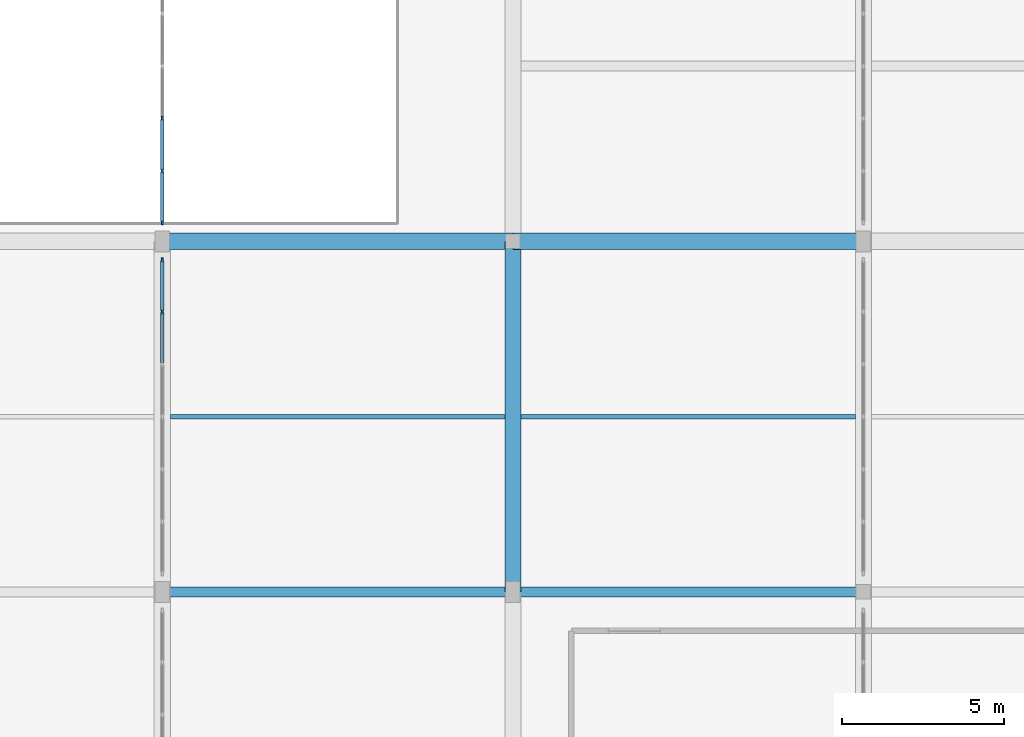
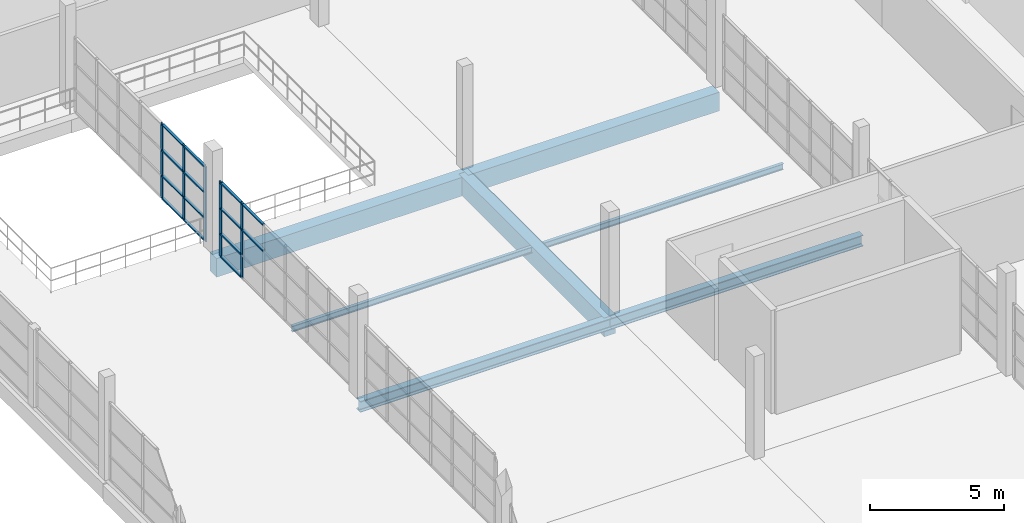
# One storey, part 31 of 142: 19 members, 7 beams, 2 elements without a shape of their own.
"""IFC4 building model written with IfcOpenShell, lengths in metres."""

from ifc_helpers import new_model, si_unit, direction, frame, origin, origin_2d, place, context, subcontext, project, spatial, rectangle, i_section, extrude, material, material_profile, profile_set, type_object, element, aggregate, save


model = new_model("IFC4")

# Units and contexts
model_context = context("Model", 3, precision=1e-05, world=origin(), true_north=direction((0.0, 1.0)))
body_context = subcontext(model_context, "Body", "Model", "MODEL_VIEW")
ifc_project = project(units=[si_unit("LENGTHUNIT", "METRE"), si_unit("AREAUNIT", "SQUARE_METRE"), si_unit("VOLUMEUNIT", "CUBIC_METRE"), si_unit("PLANEANGLEUNIT", "RADIAN"), si_unit("MASSUNIT", "GRAM", prefix="KILO")], contexts=[model_context])

# Site, building, storey
site_placement = place(None, origin())
site = spatial("IfcSite", under=ifc_project, at=site_placement, CompositionType="ELEMENT")
building_placement = place(site_placement, origin())
building = spatial("IfcBuilding", under=site, at=building_placement, Name="Zwinboog Wholesale Market", CompositionType="ELEMENT")
storey_placement = place(building_placement, frame((0.0, 0.0, 5.39990234375)))
storey = spatial("IfcBuildingStorey", under=building, at=storey_placement, Name="L01", CompositionType="ELEMENT", Elevation=5.39990234375)

# Beams
ifc_material_1 = material(Name="Precast concrete C45/55", Category="concrete")
ifc_material_profile_1 = material_profile(ifc_material_1, rectangle(XDim=0.5, YDim=0.85009765625, at=origin_2d()), Name="PC 500x850")
ifc_profile_set_1 = profile_set([ifc_material_profile_1], Name="Precast concrete C45/55")
beam_type_1 = type_object("IfcBeamType", Name="BT-03", PredefinedType="BEAM", material=ifc_profile_set_1)
beam_1_placement = place(storey_placement, frame((10.800048828125, 75.60009765625, -0.72998046875), z_axis=(1.0, 0.0, 0.0), x_axis=(0.0, 1.0, 0.0)))
element("IfcBeam", 1, at=beam_1_placement, inside=storey, type_object=beam_type_1, Name="BG-03 (BMG-L01-0108-0756-0500)", PredefinedType="BEAM", context=body_context, shape_type="SweptSolid", body=[
    extrude(rectangle(XDim=0.5, YDim=0.85009765625, at=origin_2d()), origin(), (0.0, 0.0, 1.0), 10.800048828125),
])
beam_2_placement = place(storey_placement, frame((21.60009765625, 75.60009765625, -0.72998046875), z_axis=(1.0, 0.0, 0.0), x_axis=(0.0, 1.0, 0.0)))
element("IfcBeam", 2, at=beam_2_placement, inside=storey, type_object=beam_type_1, Name="BG-03 (BMG-L01-0216-0756-0501)", PredefinedType="BEAM", context=body_context, shape_type="SweptSolid", body=[
    extrude(rectangle(XDim=0.5, YDim=0.85009765625, at=origin_2d()), origin(), (0.0, 0.0, 1.0), 10.7998046875),
])
beam_3_placement = place(storey_placement, frame((21.60009765625, 64.800048828125, -0.72998046875), z_axis=(0.0, 1.0, 0.0), x_axis=(-1.0, 0.0, 0.0)))
element("IfcBeam", 3, at=beam_3_placement, inside=storey, type_object=beam_type_1, Name="BG-03 (BMG-L01-0216-0648-0629)", PredefinedType="BEAM", context=body_context, shape_type="SweptSolid", body=[
    extrude(rectangle(XDim=0.5, YDim=0.85009765625, at=origin_2d()), origin(), (0.0, 0.0, 1.0), 10.800048828125),
])
ifc_material_2 = material(Name="Steel S355", Category="steel")
ifc_material_profile_2 = material_profile(ifc_material_2, i_section(OverallWidth=0.300048828125, OverallDepth=0.5, WebThickness=0.014404296875, FlangeThickness=0.028076171875, FilletRadius=0.027099609375, at=origin_2d()), Name="HEB 500")
ifc_profile_set_2 = profile_set([ifc_material_profile_2], Name="Steel S355")
beam_type_2 = type_object("IfcBeamType", Name="BT-14", PredefinedType="BEAM", material=ifc_profile_set_2)
beam_4_placement = place(storey_placement, frame((10.800048828125, 64.800048828125, -0.554931640625), z_axis=(1.0, 0.0, 0.0), x_axis=(0.0, 1.0, 0.0)))
element("IfcBeam", 4, at=beam_4_placement, inside=storey, type_object=beam_type_2, Name="SB-01 (BMG-L01-0108-0648-0490)", PredefinedType="BEAM", context=body_context, shape_type="SweptSolid", body=[
    extrude(i_section(OverallWidth=0.300048828125, OverallDepth=0.5, WebThickness=0.014404296875, FlangeThickness=0.028076171875, FilletRadius=0.027099609375, at=origin_2d()), origin(), (0.0, 0.0, 1.0), 10.800048828125),
])
beam_5_placement = place(storey_placement, frame((21.60009765625, 64.800048828125, -0.554931640625), z_axis=(1.0, 0.0, 0.0), x_axis=(0.0, 1.0, 0.0)))
element("IfcBeam", 5, at=beam_5_placement, inside=storey, type_object=beam_type_2, Name="SB-01 (BMG-L01-0216-0648-0491)", PredefinedType="BEAM", context=body_context, shape_type="SweptSolid", body=[
    extrude(i_section(OverallWidth=0.300048828125, OverallDepth=0.5, WebThickness=0.014404296875, FlangeThickness=0.028076171875, FilletRadius=0.027099609375, at=origin_2d()), origin(), (0.0, 0.0, 1.0), 10.7998046875),
])
ifc_material_profile_3 = material_profile(ifc_material_2, i_section(OverallWidth=0.135009765625, OverallDepth=0.27001953125, WebThickness=0.006591796875, FlangeThickness=0.01025390625, FilletRadius=0.014892578125, at=origin_2d()), Name="IPE 270")
ifc_profile_set_3 = profile_set([ifc_material_profile_3], Name="Steel S355")
beam_type_3 = type_object("IfcBeamType", Name="BT-21", PredefinedType="JOIST", material=ifc_profile_set_3)
beam_6_placement = place(storey_placement, frame((11.050048828125, 70.199951171875, -0.43994140625), z_axis=(1.0, 0.0, 0.0), x_axis=(0.0, 1.0, 0.0)))
element("IfcBeam", 6, at=beam_6_placement, inside=storey, type_object=beam_type_3, Name="SJ-04 (BMG-L01-0110-0702-0798)", PredefinedType="JOIST", context=body_context, shape_type="SweptSolid", body=[
    extrude(i_section(OverallWidth=0.135009765625, OverallDepth=0.27001953125, WebThickness=0.006591796875, FlangeThickness=0.01025390625, FilletRadius=0.014892578125, at=origin_2d()), origin(), (0.0, 0.0, 1.0), 10.300048828125),
])
beam_7_placement = place(storey_placement, frame((21.85009765625, 70.199951171875, -0.43994140625), z_axis=(1.0, 0.0, 0.0), x_axis=(0.0, 1.0, 0.0)))
element("IfcBeam", 7, at=beam_7_placement, inside=storey, type_object=beam_type_3, Name="SJ-04 (BMG-L01-0218-0702-0800)", PredefinedType="JOIST", context=body_context, shape_type="SweptSolid", body=[
    extrude(i_section(OverallWidth=0.135009765625, OverallDepth=0.27001953125, WebThickness=0.006591796875, FlangeThickness=0.01025390625, FilletRadius=0.014892578125, at=origin_2d()), origin(), (0.0, 0.0, 1.0), 10.2998046875),
])

# Curtain wall, members
ifc_material_3 = material(Name="Aluminium thermally broken curtain wall", Category="aluminium")
curtain_wall_type = type_object("IfcCurtainWallType", Name="CWT-INT-STALL", PredefinedType="USERDEFINED", material=ifc_material_3)
curtain_wall_1_placement = place(storey_placement, origin())
curtain_wall_1 = element("IfcCurtainWall", 8, at=curtain_wall_1_placement, inside=storey, type_object=curtain_wall_type, Name="CW-07 (CW-STL-261)", ObjectType="STOREFRONT_GLAZING", PredefinedType="USERDEFINED")
ifc_material_4 = material(Name="Aluminium EN AW-6060", Category="aluminium")
ifc_material_profile_4 = material_profile(ifc_material_4, rectangle(XDim=0.06005859375, YDim=0.14990234375, at=origin_2d()), Name="AL 60x150")
ifc_profile_set_4 = profile_set([ifc_material_profile_4], Name="Aluminium EN AW-6060")
member_type_1 = type_object("IfcMemberType", Name="CWM-INT-60x120", PredefinedType="MULLION", material=ifc_profile_set_4)
member_1_placement = place(storey_placement, frame((10.800048828125, 73.433349609375, 0.0), z_axis=(0.0, 0.0, 1.0), x_axis=(-1.0, 0.0, 0.0)))
member_1 = element("IfcMember", 9, at=member_1_placement, type_object=member_type_1, Name="CW-07 mullion 6", PredefinedType="MULLION", context=body_context, shape_type="SweptSolid", body=[
    extrude(rectangle(XDim=0.06005859375, YDim=0.14990234375, at=origin_2d()), origin(), (0.0, 0.0, 1.0), 3.400146484375),
])
member_2_placement = place(storey_placement, frame((10.800048828125, 75.02001953125, 0.0), z_axis=(0.0, 0.0, 1.0), x_axis=(-1.0, 0.0, 0.0)))
member_2 = element("IfcMember", 10, at=member_2_placement, type_object=member_type_1, Name="CW-07 mullion 7", PredefinedType="MULLION", context=body_context, shape_type="SweptSolid", body=[
    extrude(rectangle(XDim=0.06005859375, YDim=0.14990234375, at=origin_2d()), origin(), (0.0, 0.0, 1.0), 3.400146484375),
])

curtain_wall_2_placement = place(storey_placement, origin())
curtain_wall_2 = element("IfcCurtainWall", 11, at=curtain_wall_2_placement, inside=storey, type_object=curtain_wall_type, Name="CW-07 (CW-STL-262)", ObjectType="STOREFRONT_GLAZING", PredefinedType="USERDEFINED")
member_3_placement = place(storey_placement, frame((10.800048828125, 76.179931640625, 0.0), z_axis=(0.0, 0.0, 1.0), x_axis=(-1.0, 0.0, 0.0)))
member_3 = element("IfcMember", 12, at=member_3_placement, type_object=member_type_1, Name="CW-07 mullion 1", PredefinedType="MULLION", context=body_context, shape_type="SweptSolid", body=[
    extrude(rectangle(XDim=0.06005859375, YDim=0.14990234375, at=origin_2d()), origin(), (0.0, 0.0, 1.0), 3.400146484375),
])
member_4_placement = place(storey_placement, frame((10.800048828125, 77.7666015625, 0.0), z_axis=(0.0, 0.0, 1.0), x_axis=(-1.0, 0.0, 0.0)))
member_4 = element("IfcMember", 13, at=member_4_placement, type_object=member_type_1, Name="CW-07 mullion 2", PredefinedType="MULLION", context=body_context, shape_type="SweptSolid", body=[
    extrude(rectangle(XDim=0.06005859375, YDim=0.14990234375, at=origin_2d()), origin(), (0.0, 0.0, 1.0), 3.400146484375),
])
member_5_placement = place(storey_placement, frame((10.800048828125, 79.38330078125, 0.0), z_axis=(0.0, 0.0, 1.0), x_axis=(-1.0, 0.0, 0.0)))
member_5 = element("IfcMember", 14, at=member_5_placement, type_object=member_type_1, Name="CW-07 mullion 3", PredefinedType="MULLION", context=body_context, shape_type="SweptSolid", body=[
    extrude(rectangle(XDim=0.06005859375, YDim=0.14990234375, at=origin_2d()), origin(), (0.0, 0.0, 1.0), 3.400146484375),
])

# Member
ifc_material_profile_5 = material_profile(ifc_material_4, rectangle(XDim=0.110107421875, YDim=0.06005859375, at=origin_2d()), Name="AL 60x110")
ifc_profile_set_5 = profile_set([ifc_material_profile_5], Name="Aluminium EN AW-6060")
member_type_2 = type_object("IfcMemberType", Name="CWT-INT-60x100", PredefinedType="USERDEFINED", material=ifc_profile_set_5)
member_6_placement = place(storey_placement, frame((10.800048828125, 71.8466796875, 2.2001953125), z_axis=(0.0, 1.0, 0.0), x_axis=(-1.0, 0.0, 0.0)))
member_6 = element("IfcMember", 15, at=member_6_placement, type_object=member_type_2, Name="CW-07 transom 5.3", ObjectType="TRANSOM", PredefinedType="USERDEFINED", context=body_context, shape_type="SweptSolid", body=[
    extrude(rectangle(XDim=0.110107421875, YDim=0.06005859375, at=origin_2d()), origin(), (0.0, 0.0, 1.0), 1.556640625),
])

member_7_placement = place(storey_placement, frame((10.800048828125, 71.8466796875, 3.3701171875), z_axis=(0.0, 1.0, 0.0), x_axis=(-1.0, 0.0, 0.0)))
member_7 = element("IfcMember", 16, at=member_7_placement, type_object=member_type_2, Name="CW-07 transom 5.4", ObjectType="TRANSOM", PredefinedType="USERDEFINED", context=body_context, shape_type="SweptSolid", body=[
    extrude(rectangle(XDim=0.110107421875, YDim=0.06005859375, at=origin_2d()), origin(), (0.0, 0.0, 1.0), 1.556640625),
])

member_8_placement = place(storey_placement, frame((10.800048828125, 73.46337890625, 0.030029296875), z_axis=(0.0, 1.0, 0.0), x_axis=(-1.0, 0.0, 0.0)))
member_8 = element("IfcMember", 17, at=member_8_placement, type_object=member_type_2, Name="CW-07 transom 6.1", ObjectType="TRANSOM", PredefinedType="USERDEFINED", context=body_context, shape_type="SweptSolid", body=[
    extrude(rectangle(XDim=0.110107421875, YDim=0.06005859375, at=origin_2d()), origin(), (0.0, 0.0, 1.0), 1.526611328125),
])

member_9_placement = place(storey_placement, frame((10.800048828125, 73.46337890625, 1.050048828125), z_axis=(0.0, 1.0, 0.0), x_axis=(-1.0, 0.0, 0.0)))
member_9 = element("IfcMember", 18, at=member_9_placement, type_object=member_type_2, Name="CW-07 transom 6.2", ObjectType="TRANSOM", PredefinedType="USERDEFINED", context=body_context, shape_type="SweptSolid", body=[
    extrude(rectangle(XDim=0.110107421875, YDim=0.06005859375, at=origin_2d()), origin(), (0.0, 0.0, 1.0), 1.526611328125),
])

member_10_placement = place(storey_placement, frame((10.800048828125, 73.46337890625, 2.2001953125), z_axis=(0.0, 1.0, 0.0), x_axis=(-1.0, 0.0, 0.0)))
member_10 = element("IfcMember", 19, at=member_10_placement, type_object=member_type_2, Name="CW-07 transom 6.3", ObjectType="TRANSOM", PredefinedType="USERDEFINED", context=body_context, shape_type="SweptSolid", body=[
    extrude(rectangle(XDim=0.110107421875, YDim=0.06005859375, at=origin_2d()), origin(), (0.0, 0.0, 1.0), 1.526611328125),
])

member_11_placement = place(storey_placement, frame((10.800048828125, 73.46337890625, 3.3701171875), z_axis=(0.0, 1.0, 0.0), x_axis=(-1.0, 0.0, 0.0)))
member_11 = element("IfcMember", 20, at=member_11_placement, type_object=member_type_2, Name="CW-07 transom 6.4", ObjectType="TRANSOM", PredefinedType="USERDEFINED", context=body_context, shape_type="SweptSolid", body=[
    extrude(rectangle(XDim=0.110107421875, YDim=0.06005859375, at=origin_2d()), origin(), (0.0, 0.0, 1.0), 1.526611328125),
])

aggregate(curtain_wall_1, [member_1, member_2, member_6, member_7, member_8, member_9, member_10, member_11])

member_12_placement = place(storey_placement, frame((10.800048828125, 76.2099609375, 0.030029296875), z_axis=(0.0, 1.0, 0.0), x_axis=(-1.0, 0.0, 0.0)))
member_12 = element("IfcMember", 21, at=member_12_placement, type_object=member_type_2, Name="CW-07 transom 1.1", ObjectType="TRANSOM", PredefinedType="USERDEFINED", context=body_context, shape_type="SweptSolid", body=[
    extrude(rectangle(XDim=0.110107421875, YDim=0.06005859375, at=origin_2d()), origin(), (0.0, 0.0, 1.0), 1.526611328125),
])

member_13_placement = place(storey_placement, frame((10.800048828125, 76.2099609375, 1.050048828125), z_axis=(0.0, 1.0, 0.0), x_axis=(-1.0, 0.0, 0.0)))
member_13 = element("IfcMember", 22, at=member_13_placement, type_object=member_type_2, Name="CW-07 transom 1.2", ObjectType="TRANSOM", PredefinedType="USERDEFINED", context=body_context, shape_type="SweptSolid", body=[
    extrude(rectangle(XDim=0.110107421875, YDim=0.06005859375, at=origin_2d()), origin(), (0.0, 0.0, 1.0), 1.526611328125),
])

member_14_placement = place(storey_placement, frame((10.800048828125, 76.2099609375, 2.2001953125), z_axis=(0.0, 1.0, 0.0), x_axis=(-1.0, 0.0, 0.0)))
member_14 = element("IfcMember", 23, at=member_14_placement, type_object=member_type_2, Name="CW-07 transom 1.3", ObjectType="TRANSOM", PredefinedType="USERDEFINED", context=body_context, shape_type="SweptSolid", body=[
    extrude(rectangle(XDim=0.110107421875, YDim=0.06005859375, at=origin_2d()), origin(), (0.0, 0.0, 1.0), 1.526611328125),
])

member_15_placement = place(storey_placement, frame((10.800048828125, 76.2099609375, 3.3701171875), z_axis=(0.0, 1.0, 0.0), x_axis=(-1.0, 0.0, 0.0)))
member_15 = element("IfcMember", 24, at=member_15_placement, type_object=member_type_2, Name="CW-07 transom 1.4", ObjectType="TRANSOM", PredefinedType="USERDEFINED", context=body_context, shape_type="SweptSolid", body=[
    extrude(rectangle(XDim=0.110107421875, YDim=0.06005859375, at=origin_2d()), origin(), (0.0, 0.0, 1.0), 1.526611328125),
])

member_16_placement = place(storey_placement, frame((10.800048828125, 77.796630859375, 0.030029296875), z_axis=(0.0, 1.0, 0.0), x_axis=(-1.0, 0.0, 0.0)))
member_16 = element("IfcMember", 25, at=member_16_placement, type_object=member_type_2, Name="CW-07 transom 2.1", ObjectType="TRANSOM", PredefinedType="USERDEFINED", context=body_context, shape_type="SweptSolid", body=[
    extrude(rectangle(XDim=0.110107421875, YDim=0.06005859375, at=origin_2d()), origin(), (0.0, 0.0, 1.0), 1.556640625),
])

member_17_placement = place(storey_placement, frame((10.800048828125, 77.796630859375, 1.050048828125), z_axis=(0.0, 1.0, 0.0), x_axis=(-1.0, 0.0, 0.0)))
member_17 = element("IfcMember", 26, at=member_17_placement, type_object=member_type_2, Name="CW-07 transom 2.2", ObjectType="TRANSOM", PredefinedType="USERDEFINED", context=body_context, shape_type="SweptSolid", body=[
    extrude(rectangle(XDim=0.110107421875, YDim=0.06005859375, at=origin_2d()), origin(), (0.0, 0.0, 1.0), 1.556640625),
])

member_18_placement = place(storey_placement, frame((10.800048828125, 77.796630859375, 2.2001953125), z_axis=(0.0, 1.0, 0.0), x_axis=(-1.0, 0.0, 0.0)))
member_18 = element("IfcMember", 27, at=member_18_placement, type_object=member_type_2, Name="CW-07 transom 2.3", ObjectType="TRANSOM", PredefinedType="USERDEFINED", context=body_context, shape_type="SweptSolid", body=[
    extrude(rectangle(XDim=0.110107421875, YDim=0.06005859375, at=origin_2d()), origin(), (0.0, 0.0, 1.0), 1.556640625),
])

member_19_placement = place(storey_placement, frame((10.800048828125, 77.796630859375, 3.3701171875), z_axis=(0.0, 1.0, 0.0), x_axis=(-1.0, 0.0, 0.0)))
member_19 = element("IfcMember", 28, at=member_19_placement, type_object=member_type_2, Name="CW-07 transom 2.4", ObjectType="TRANSOM", PredefinedType="USERDEFINED", context=body_context, shape_type="SweptSolid", body=[
    extrude(rectangle(XDim=0.110107421875, YDim=0.06005859375, at=origin_2d()), origin(), (0.0, 0.0, 1.0), 1.556640625),
])

aggregate(curtain_wall_2, [member_3, member_4, member_5, member_12, member_13, member_14, member_15, member_16, member_17, member_18, member_19])

save(model, "model.ifc")
